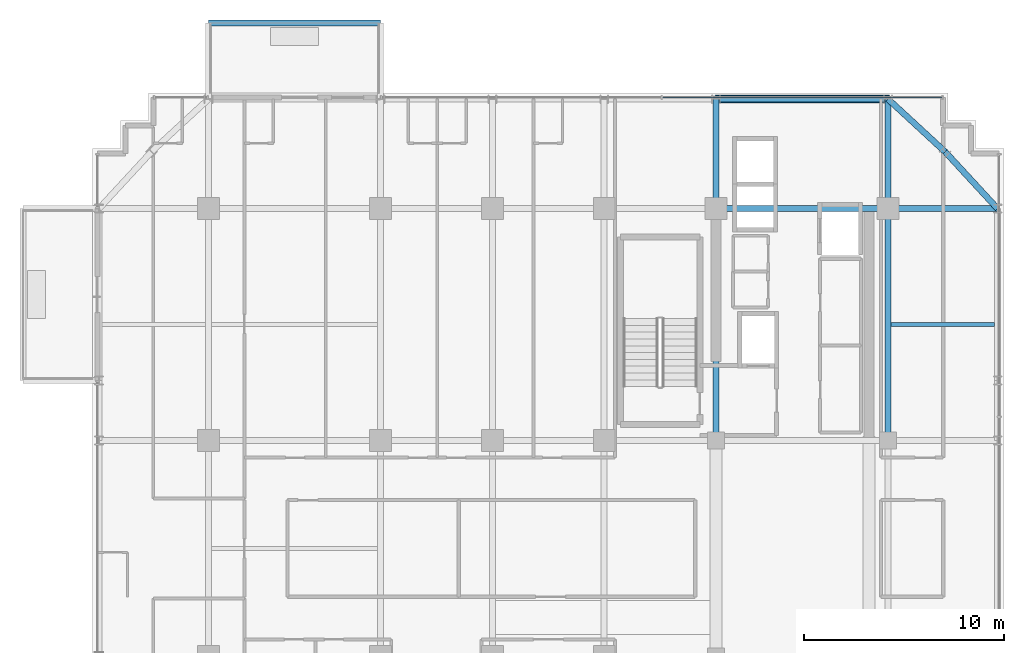
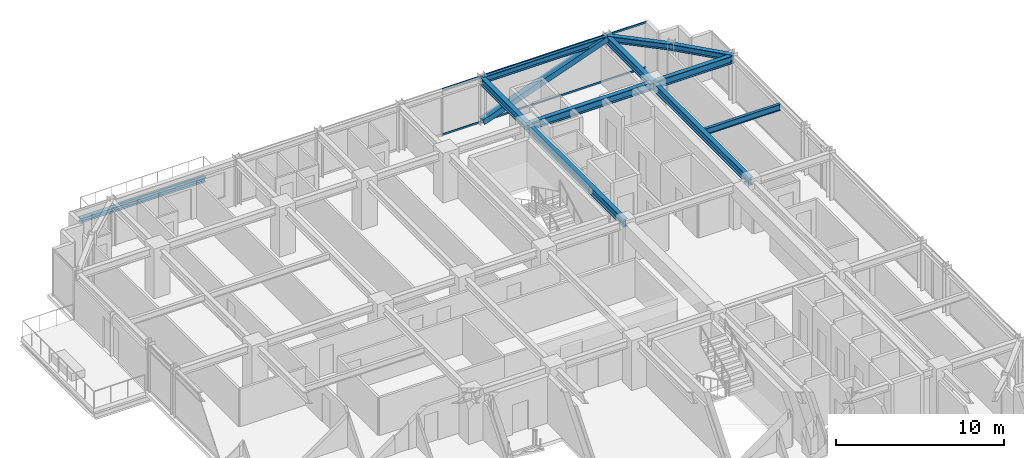
# One storey, part 22 of 32: 11 beams, 3 members, 1 element without a shape of its own.
"""IFC4 building model written with IfcOpenShell, lengths in metres."""

from ifc_helpers import new_model, si_unit, direction, frame, origin, origin_2d, place, context, subcontext, project, spatial, hollow_rectangle, i_section, extrude, source, transform, mapped, material, material_profile, profile_set, type_object, element, aggregate, save


model = new_model("IFC4")

# Units and contexts
model_context = context("Model", 3, precision=1e-05, world=origin(), true_north=direction((0.0, 1.0)))
body_context = subcontext(model_context, "Body", "Model", "MODEL_VIEW")
ifc_project = project(units=[si_unit("LENGTHUNIT", "METRE"), si_unit("AREAUNIT", "SQUARE_METRE"), si_unit("VOLUMEUNIT", "CUBIC_METRE"), si_unit("PLANEANGLEUNIT", "RADIAN"), si_unit("MASSUNIT", "GRAM", prefix="KILO")], contexts=[model_context])

# Site, building, storey
site_placement = place(None, origin())
site = spatial("IfcSite", under=ifc_project, at=site_placement, CompositionType="ELEMENT")
building_placement = place(site_placement, origin())
building = spatial("IfcBuilding", under=site, at=building_placement, Name="Nahalor Promenade Grand Hotel", CompositionType="ELEMENT")
storey_placement = place(building_placement, frame((0.0, 0.0, 152.64990234375)))
storey = spatial("IfcBuildingStorey", under=building, at=storey_placement, Name="L38", CompositionType="ELEMENT", Elevation=152.64990234375)

# Beams
ifc_material_1 = material(Name="Steel S355JR", Category="steel")
ifc_material_profile_1 = material_profile(ifc_material_1, i_section(OverallWidth=0.3, OverallDepth=0.32, WebThickness=0.0115, FlangeThickness=0.0205, at=origin_2d()), Name="HEB 320")
ifc_profile_set_1 = profile_set([ifc_material_profile_1], Name="Steel S355JR")
beam_type_1 = type_object("IfcBeamType", Name="Beam-BalcEdge-HEB320", PredefinedType="SPANDREL", material=ifc_profile_set_1)
shared_shape_1 = source(origin(), body_context, "Body", "SweptSolid", [
    extrude(i_section(OverallWidth=0.3, OverallDepth=0.32, WebThickness=0.0115, FlangeThickness=0.0205, at=origin_2d()), origin(), (0.0, 0.0, 1.0), 8.60009765625),
])
beam_1_placement = place(storey_placement, frame((-17.0, 26.2900390625, -0.43994140625), z_axis=(1.0, 0.0, 0.0), x_axis=(0.0, 1.0, 0.0)))
element("IfcBeam", 1, at=beam_1_placement, inside=storey, type_object=beam_type_1, Name="BM-L38-BC-01-F", PredefinedType="SPANDREL", context=body_context, shape_type="MappedRepresentation", body=[
    mapped(shared_shape_1, transform((0.0, 0.0, 0.0), scale=1.0)),
])
ifc_material_profile_2 = material_profile(ifc_material_1, i_section(OverallWidth=0.3, OverallDepth=0.55, WebThickness=0.015, FlangeThickness=0.029, at=origin_2d()), Name="HEB 550")
ifc_profile_set_2 = profile_set([ifc_material_profile_2], Name="Steel S355JR")
beam_type_2 = type_object("IfcBeamType", Name="Beam-Girder-HEB550", PredefinedType="BEAM", material=ifc_profile_set_2)
shared_shape_2 = source(origin(), body_context, "Body", "SweptSolid", [
    extrude(i_section(OverallWidth=0.3, OverallDepth=0.55, WebThickness=0.015, FlangeThickness=0.029, at=origin_2d()), origin(), (0.0, 0.0, 1.0), 8.60009765625),
])
beam_2_placement = place(storey_placement, frame((8.39990234375, 17.0, 3.114990234375), z_axis=(1.0, 0.0, 0.0), x_axis=(0.0, 1.0, 0.0)))
element("IfcBeam", 2, at=beam_2_placement, inside=storey, type_object=beam_type_2, Name="BM-L38-GX-3-5", PredefinedType="BEAM", context=body_context, shape_type="MappedRepresentation", body=[
    mapped(shared_shape_2, transform((0.0, 0.0, 0.0), scale=1.0)),
])
shared_shape_3 = source(origin(), body_context, "Body", "SweptSolid", [
    extrude(i_section(OverallWidth=0.3, OverallDepth=0.55, WebThickness=0.015, FlangeThickness=0.029, at=origin_2d()), origin(), (0.0, 0.0, 1.0), 11.60009765625),
])
for number, where, z_axis, x_axis, name in (
    (3, (8.39990234375, 5.39990234375, 3.114990234375), (0.0, 1.0, 0.0), (-1.0, 0.0, 0.0), "BM-L38-GY-4-3"),
    (4, (17.0, 5.39990234375, 3.114990234375), (0.0, 1.0, 0.0), (-1.0, 0.0, 0.0), "BM-L38-GY-5-3"),
):
    element("IfcBeam", number, at=place(storey_placement, frame(where, z_axis=z_axis, x_axis=x_axis)), inside=storey, type_object=beam_type_2, Name=name, PredefinedType="BEAM", context=body_context, shape_type="MappedRepresentation", body=[
        mapped(shared_shape_3, transform((0.0, 0.0, 0.0), scale=1.0)),
    ])
shared_shape_4 = source(origin(), body_context, "Body", "SweptSolid", [
    extrude(i_section(OverallWidth=0.3, OverallDepth=0.55, WebThickness=0.015, FlangeThickness=0.029, at=origin_2d()), origin(), (0.0, 0.0, 1.0), 5.47998046875),
])
for number, where, z_axis, x_axis, name in (
    (5, (17.0, 17.0, 3.114990234375), (1.0, 0.0, 0.0), (0.0, 1.0, 0.0), "BM-L38-GX-3-6"),
    (6, (8.39990234375, 17.0, 3.114990234375), (0.0, 1.0, 0.0), (-1.0, 0.0, 0.0), "BM-L38-GY-4-4"),
    (7, (17.0, 17.0, 3.114990234375), (0.0, 1.0, 0.0), (-1.0, 0.0, 0.0), "BM-L38-GY-5-4"),
):
    element("IfcBeam", number, at=place(storey_placement, frame(where, z_axis=z_axis, x_axis=x_axis)), inside=storey, type_object=beam_type_2, Name=name, PredefinedType="BEAM", context=body_context, shape_type="MappedRepresentation", body=[
        mapped(shared_shape_4, transform((0.0, 0.0, 0.0), scale=1.0)),
    ])
ifc_material_profile_3 = material_profile(ifc_material_1, i_section(OverallWidth=0.19, OverallDepth=0.45, WebThickness=0.0094, FlangeThickness=0.0146, at=origin_2d()), Name="IPE 450")
ifc_profile_set_3 = profile_set([ifc_material_profile_3], Name="Steel S355JR")
beam_type_3 = type_object("IfcBeamType", Name="Beam-Joist-IPE450", PredefinedType="JOIST", material=ifc_profile_set_3)
shared_shape_5 = source(origin(), body_context, "Body", "SweptSolid", [
    extrude(i_section(OverallWidth=0.19, OverallDepth=0.45, WebThickness=0.0094, FlangeThickness=0.0146, at=origin_2d()), origin(), (0.0, 0.0, 1.0), 5.18017578125),
])
beam_3_placement = place(storey_placement, frame((17.14990234375, 11.199951171875, 3.1650390625), z_axis=(1.0, 0.0, 0.0), x_axis=(0.0, 1.0, 0.0)))
element("IfcBeam", 8, at=beam_3_placement, inside=storey, type_object=beam_type_3, Name="BM-L38-JSE-1-2", PredefinedType="JOIST", context=body_context, shape_type="MappedRepresentation", body=[
    mapped(shared_shape_5, transform((0.0, 0.0, 0.0), scale=1.0)),
])
ifc_material_profile_4 = material_profile(ifc_material_1, i_section(OverallWidth=0.3, OverallDepth=0.45, WebThickness=0.014, FlangeThickness=0.026, at=origin_2d()), Name="HEB 450")
ifc_profile_set_4 = profile_set([ifc_material_profile_4], Name="Steel S355JR")
beam_type_4 = type_object("IfcBeamType", Name="Beam-Spandrel-HEB450", PredefinedType="SPANDREL", material=ifc_profile_set_4)
shared_shape_6 = source(origin(), body_context, "Body", "SweptSolid", [
    extrude(i_section(OverallWidth=0.3, OverallDepth=0.45, WebThickness=0.014, FlangeThickness=0.026, at=origin_2d()), origin(), (0.0, 0.0, 1.0), 8.60009765625),
])
beam_4_placement = place(storey_placement, frame((8.39990234375, 22.47998046875, 3.1650390625), z_axis=(1.0, 0.0, 0.0), x_axis=(0.0, 1.0, 0.0)))
element("IfcBeam", 9, at=beam_4_placement, inside=storey, type_object=beam_type_4, Name="BM-L38-SP-N-4", PredefinedType="SPANDREL", context=body_context, shape_type="MappedRepresentation", body=[
    mapped(shared_shape_6, transform((0.0, 0.0, 0.0), scale=1.0)),
])
shared_shape_7 = source(origin(), body_context, "Body", "SweptSolid", [
    extrude(i_section(OverallWidth=0.3, OverallDepth=0.45, WebThickness=0.014, FlangeThickness=0.026, at=origin_2d()), origin(), (0.0, 0.0, 1.0), 3.878173828125),
])
for number, where, z_axis, x_axis, name in (
    (10, (17.0, 22.47998046875, 3.1650390625), (0.73492893846, -0.678144125843, 0.0), (0.678144125843, 0.73492893846, 0.0), "BM-L38-SPC-NE-1"),
    (11, (19.85009765625, 19.85009765625, 3.1650390625), (0.678144125843, -0.73492893846, 0.0), (0.73492893846, 0.678144125843, 0.0), "BM-L38-SPC-NE-2"),
):
    element("IfcBeam", number, at=place(storey_placement, frame(where, z_axis=z_axis, x_axis=x_axis)), inside=storey, type_object=beam_type_4, Name=name, PredefinedType="SPANDREL", context=body_context, shape_type="MappedRepresentation", body=[
        mapped(shared_shape_7, transform((0.0, 0.0, 0.0), scale=1.0)),
    ])

# Member
ifc_material_profile_5 = material_profile(ifc_material_1, hollow_rectangle(XDim=0.4, YDim=0.4, WallThickness=0.022, at=origin_2d()), Name="SHS 400x400x22")
ifc_profile_set_5 = profile_set([ifc_material_profile_5], Name="Steel S355JR")
member_type_1 = type_object("IfcMemberType", Name="Mem-ExoBrace-SHS400", PredefinedType="BRACE", material=ifc_profile_set_5)
shared_shape_8 = source(origin(), body_context, "Body", "SweptSolid", [
    extrude(hollow_rectangle(XDim=0.4, YDim=0.4, WallThickness=0.022, at=origin_2d()), origin(), (0.0, 0.0, 1.0), 9.138427734375),
])
member_1_placement = place(storey_placement, frame((8.39990234375, 22.47998046875, 0.150146484375), z_axis=(0.941103144716, 0.0, 0.338119610501), x_axis=(0.0, 1.0, 0.0)))
element("IfcMember", 12, at=member_1_placement, inside=storey, type_object=member_type_1, Name="EXO-L38-N-1", PredefinedType="BRACE", context=body_context, shape_type="MappedRepresentation", body=[
    mapped(shared_shape_8, transform((0.0, 0.0, 0.0), scale=1.0)),
])

# Curtain wall, members
ifc_material_2 = material(Name="Anodised Bronze Aluminium EN AW-6063 T6", Category="aluminium")
curtain_wall_type = type_object("IfcCurtainWallType", Name="CW2 Typical Hotel Flush Bronze Unitised Curtain Wall", PredefinedType="USERDEFINED", material=ifc_material_2)
curtain_wall_placement = place(storey_placement, origin())
curtain_wall = element("IfcCurtainWall", 13, at=curtain_wall_placement, inside=storey, type_object=curtain_wall_type, Name="L38 Curtain Wall CW-L38-N-3", ObjectType="UNITISED_CURTAIN_WALL", PredefinedType="USERDEFINED")
ifc_material_profile_6 = material_profile(ifc_material_2, hollow_rectangle(XDim=0.065, YDim=0.13, WallThickness=0.004, at=origin_2d()), Name="CWT 65x130x4")
ifc_profile_set_6 = profile_set([ifc_material_profile_6], Name="Anodised Bronze Aluminium EN AW-6063 T6")
member_type_2 = type_object("IfcMemberType", Name="CWT2 Typical Bronze Transom 65x130", PredefinedType="USERDEFINED", material=ifc_profile_set_6)
shared_shape_9 = source(origin(), body_context, "Body", "SweptSolid", [
    extrude(hollow_rectangle(XDim=0.065, YDim=0.13, WallThickness=0.004, at=origin_2d()), origin(), (0.0, 0.0, 1.0), 13.982666015625),
])
member_2_placement = place(storey_placement, frame((5.71240234375, 22.56005859375, 0.065185546875), z_axis=(1.0, 0.0, 0.0), x_axis=(0.0, 1.0, 0.0)))
member_2 = element("IfcMember", 14, at=member_2_placement, type_object=member_type_2, Name="CW-L38-N-3 Transom 1-0", ObjectType="TRANSOM", PredefinedType="USERDEFINED", context=body_context, shape_type="MappedRepresentation", body=[
    mapped(shared_shape_9, transform((0.0, 0.0, 0.0), scale=1.0)),
])
member_3_placement = place(storey_placement, frame((5.71240234375, 22.56005859375, 3.3251953125), z_axis=(1.0, 0.0, 0.0), x_axis=(0.0, 1.0, 0.0)))
member_3 = element("IfcMember", 15, at=member_3_placement, type_object=member_type_2, Name="CW-L38-N-3 Transom 1-1", ObjectType="TRANSOM", PredefinedType="USERDEFINED", context=body_context, shape_type="MappedRepresentation", body=[
    mapped(shared_shape_9, transform((0.0, 0.0, 0.0), scale=1.0)),
])
aggregate(curtain_wall, [member_2, member_3])

save(model, "model.ifc")
